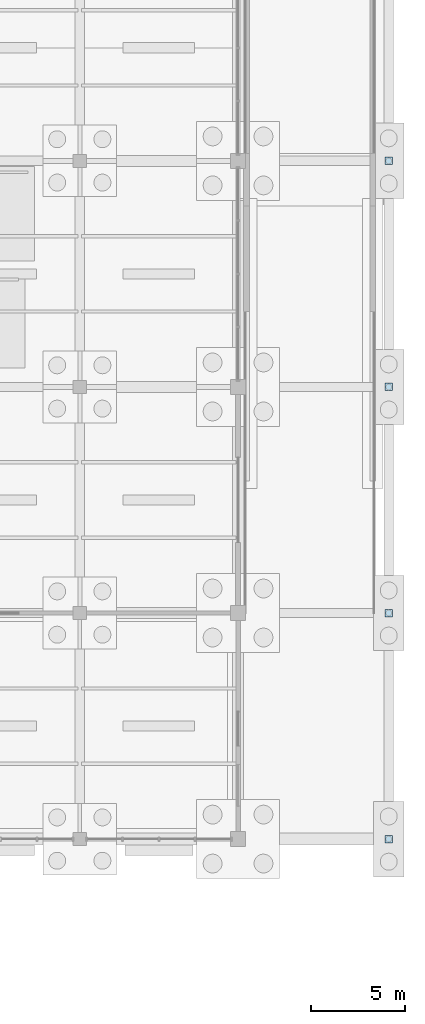
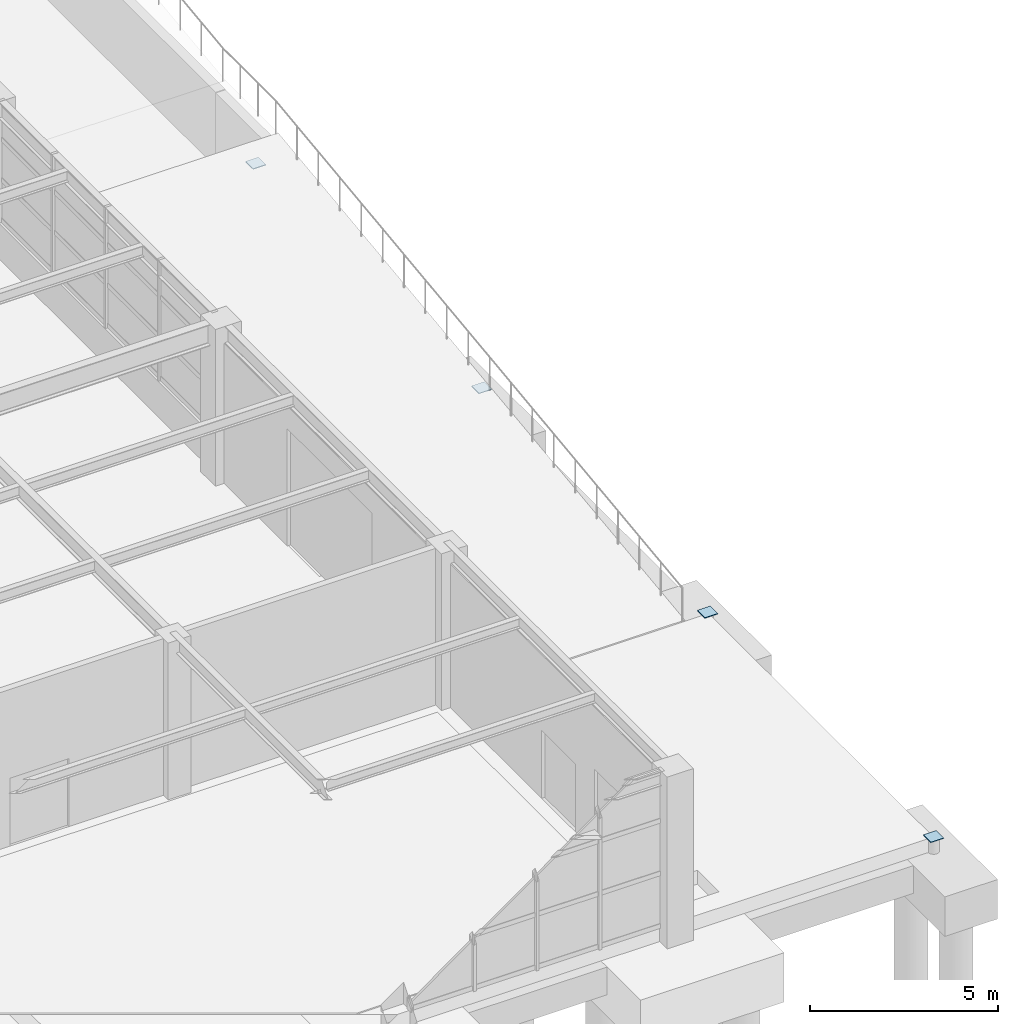
# One storey, part 98 of 129: 4 plates.
"""IFC4 building model written with IfcOpenShell, lengths in metres."""

from ifc_helpers import new_model, si_unit, direction, frame, origin, origin_2d, place, context, subcontext, project, spatial, rectangle, extrude, material, layer, layer_set, type_object, element, save


model = new_model("IFC4")

# Units and contexts
model_context = context("Model", 3, precision=1e-05, world=origin(), true_north=direction((0.0, 1.0)))
body_context = subcontext(model_context, "Body", "Model", "MODEL_VIEW")
ifc_project = project(units=[si_unit("LENGTHUNIT", "METRE"), si_unit("AREAUNIT", "SQUARE_METRE"), si_unit("VOLUMEUNIT", "CUBIC_METRE"), si_unit("PLANEANGLEUNIT", "RADIAN"), si_unit("MASSUNIT", "GRAM", prefix="KILO")], contexts=[model_context])

# Site, building, storey
site_placement = place(None, origin())
site = spatial("IfcSite", under=ifc_project, at=site_placement, CompositionType="ELEMENT")
building_placement = place(site_placement, origin())
building = spatial("IfcBuilding", under=site, at=building_placement, Name="Sitalva Quay Ferry Terminal", CompositionType="ELEMENT")
storey_placement = place(building_placement, origin())
storey = spatial("IfcBuildingStorey", under=building, at=storey_placement, Name="L01", CompositionType="ELEMENT", Elevation=0.0)

# Plates
ifc_material = material(Name="Structural Steel S355JR", Category="steel")
ifc_layer = layer(ifc_material, 0.02001953125)
ifc_layer_set = layer_set([ifc_layer], Name="Structural Steel S355JR")
plate_type = type_object("IfcPlateType", Name="Gusset_400x400x20", PredefinedType="USERDEFINED", material=ifc_layer_set)
for number, where, z_axis, x_axis, name in (
    (1, (176.0, 6.0, 0.0), (0.0, 0.0, 1.0), (1.0, 0.0, 0.0), "Apron column 22C head cap plate"),
    (2, (176.0, 18.0, 0.0), (0.0, 0.0, 1.0), (1.0, 0.0, 0.0), "Apron column 22D head cap plate"),
    (3, (176.0, 30.0, 0.0), (0.0, 0.0, 1.0), (1.0, 0.0, 0.0), "Apron column 22E head cap plate"),
    (4, (176.0, 42.0, 0.0), (0.0, 0.0, 1.0), (1.0, 0.0, 0.0), "Apron column 22F head cap plate"),
):
    element("IfcPlate", number, at=place(storey_placement, frame(where, z_axis=z_axis, x_axis=x_axis)), inside=storey, type_object=plate_type, Name=name, ObjectType="FLANGE_PLATE", PredefinedType="USERDEFINED", context=body_context, shape_type="SweptSolid", body=[
        extrude(rectangle(XDim=0.39990234375, YDim=0.39990234375, at=origin_2d()), origin(), (0.0, 0.0, 1.0), 0.02001953125),
    ])

save(model, "model.ifc")
